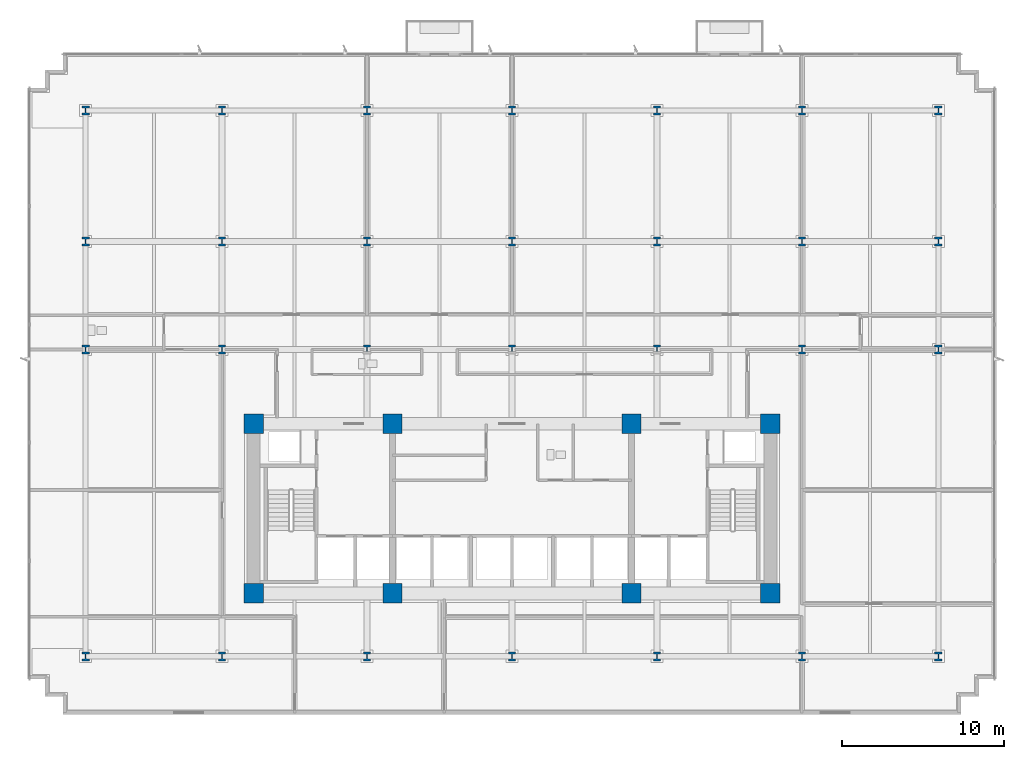
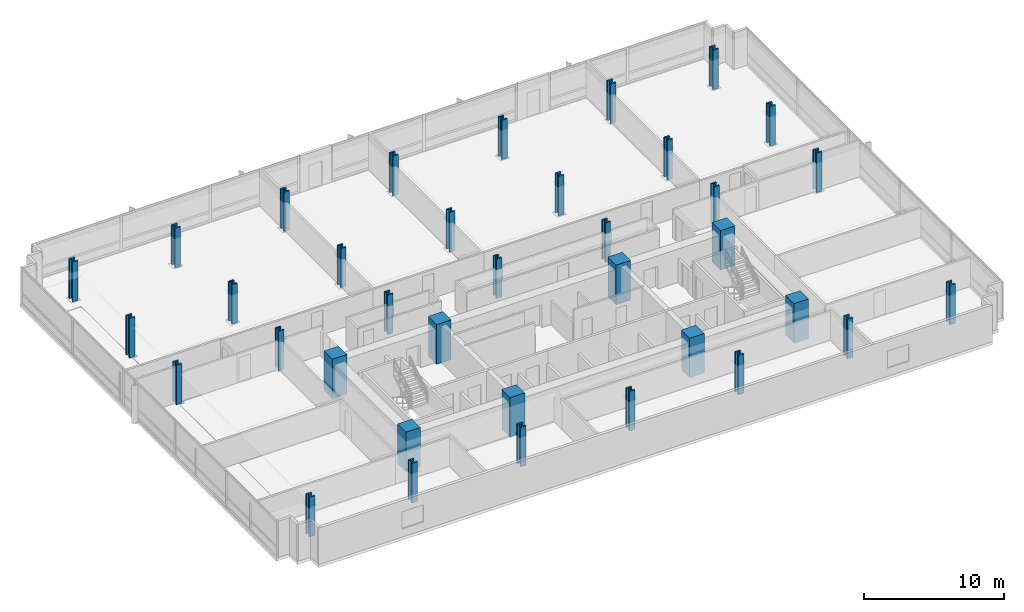
# One storey, part 1 of 14: 36 columns.
"""IFC4 building model written with IfcOpenShell, lengths in metres."""

import ifcopenshell
import ifcopenshell.guid

model = None  # the IFC model being written
_history = None  # IfcOwnerHistory: only IFC2X3 demands one
_inside = {}  # id of a spatial element -> (the spatial element, [elements in it])
_under = {}  # id of a project, library or spatial element -> (it, [spatial elements below it])
_declared = {}  # id of a project -> (the project, [libraries it declares])
_typed = {}  # id of a type object -> (the type object, [elements of that type])
_made_of = {}  # id of a material, layer set ... -> (it, [elements and type objects made of it])


def new_model(schema):
    """Start an empty IFC model of exactly this schema.

    Asked for "IFC4X3", IfcOpenShell would pick the latest addendum, in which some entities
    have other attributes; the version numbers below select the first issue.
    IFC2X3 requires an IfcOwnerHistory on every rooted entity: one is made here for all.
    """
    global model, _history
    if schema == "IFC4X3":
        model = ifcopenshell.file(schema_version=(4, 3, 0, 0))
    else:
        model = ifcopenshell.file(schema=schema)
    _inside.clear()
    _under.clear()
    _declared.clear()
    _typed.clear()
    _made_of.clear()
    _history = None
    if model.schema == "IFC2X3":
        org = make("IfcOrganization", Name="unknown")
        user = make(
            "IfcPersonAndOrganization",
            ThePerson=make("IfcPerson", FamilyName="unknown"),
            TheOrganization=org,
        )
        app = make(
            "IfcApplication",
            ApplicationDeveloper=org,
            Version="unknown",
            ApplicationFullName="unknown",
            ApplicationIdentifier="unknown",
        )
        _history = make(
            "IfcOwnerHistory",
            OwningUser=user,
            OwningApplication=app,
            ChangeAction="ADDED",
            CreationDate=0,
        )
    return model


def make(cls, **values):
    """One entity of the class cls with the attributes given. An attribute that is None is left unset."""
    return model.create_entity(
        cls, **{name: value for name, value in values.items() if value is not None}
    )


def rooted(cls, **values):
    """An entity with a GlobalId (a new one), such as an element, a storey or a relation."""
    return make(cls, GlobalId=ifcopenshell.guid.new(), OwnerHistory=_history, **values)


def si_unit(unit_type, name, prefix=None):
    """IfcSIUnit, for example si_unit("LENGTHUNIT", "METRE", prefix="MILLI")."""
    return make("IfcSIUnit", UnitType=unit_type, Prefix=prefix, Name=name)


def assignment(units):
    """IfcUnitAssignment: the units of a project."""
    return None if units is None else make("IfcUnitAssignment", Units=units)


def point(xyz):
    """IfcCartesianPoint."""
    return None if xyz is None else make("IfcCartesianPoint", Coordinates=xyz)


def direction(xyz):
    """IfcDirection."""
    return None if xyz is None else make("IfcDirection", DirectionRatios=xyz)


def frame(location, z_axis=None, x_axis=None):
    """IfcAxis2Placement3D, a coordinate frame: its origin and axes. An axis left out is left unset."""
    return make(
        "IfcAxis2Placement3D",
        Location=point(location),
        Axis=direction(z_axis),
        RefDirection=direction(x_axis),
    )


def frame_2d(location, x_axis=None):
    """IfcAxis2Placement2D, a coordinate frame in the plane: its origin and x axis."""
    return make(
        "IfcAxis2Placement2D", Location=point(location), RefDirection=direction(x_axis)
    )


def origin():
    """The frame at (0, 0, 0) with its axes left unset."""
    return frame((0.0, 0.0, 0.0))


def origin_2d():
    """The frame at (0, 0) in the plane with its x axis left unset."""
    return frame_2d((0.0, 0.0))


def place(relative_to, where):
    """IfcLocalPlacement: puts the frame where relative to a parent placement (None: the world)."""
    return make(
        "IfcLocalPlacement", PlacementRelTo=relative_to, RelativePlacement=where
    )


def context(
    kind, dimensions, precision=None, world=None, true_north=None, identifier=None
):
    """IfcGeometricRepresentationContext, for example the 3D "Model" context."""
    return make(
        "IfcGeometricRepresentationContext",
        ContextIdentifier=identifier,
        ContextType=kind,
        CoordinateSpaceDimension=dimensions,
        Precision=precision,
        WorldCoordinateSystem=world,
        TrueNorth=true_north,
    )


def subcontext(parent, identifier, kind, view, scale=None):
    """IfcGeometricRepresentationSubContext, for example "Body" below "Model"."""
    return make(
        "IfcGeometricRepresentationSubContext",
        ContextIdentifier=identifier,
        ContextType=kind,
        ParentContext=parent,
        TargetScale=scale,
        TargetView=view,
    )


def project(units=None, contexts=None):
    """IfcProject with its units and contexts."""
    return rooted(
        "IfcProject",
        Name="project",
        RepresentationContexts=contexts,
        UnitsInContext=assignment(units),
    )


def spatial(cls, under=None, at=None, **own):
    """A site, building, storey or space (cls), placed at a placement, below another one or the project."""
    s = rooted(cls, ObjectPlacement=at, **own)
    if under is not None:
        _under.setdefault(under.id(), (under, []))[1].append(s)
    return s


def profile(cls, at=None, kind="AREA", **sizes):
    """A parametric profile (cls). Its sizes go by their IFC names, for example OverallWidth=200.0."""
    return make(cls, ProfileType=kind, Position=at, **sizes)


def rectangle(**sizes):
    """IfcRectangleProfileDef."""
    return profile("IfcRectangleProfileDef", **sizes)


def i_section(**sizes):
    """IfcIShapeProfileDef."""
    return profile("IfcIShapeProfileDef", **sizes)


def extrude(swept, where, along, depth):
    """IfcExtrudedAreaSolid: the profile swept, set in the frame where, extruded along a direction by depth."""
    return make(
        "IfcExtrudedAreaSolid",
        SweptArea=swept,
        Position=where,
        ExtrudedDirection=direction(along),
        Depth=depth,
    )


def shape(context_of_items, identifier, shape_type, items):
    """IfcShapeRepresentation: the items that make up one representation, for example the "Body"."""
    return make(
        "IfcShapeRepresentation",
        ContextOfItems=context_of_items,
        RepresentationIdentifier=identifier,
        RepresentationType=shape_type,
        Items=items,
    )


def material(Name=None, Category=None):
    """IfcMaterial."""
    return make("IfcMaterial", Name=Name, Category=Category)


def material_profile(
    of_material, cross_section, Name=None, Category=None, Priority=None
):
    """IfcMaterialProfile: a cross section and its material."""
    return make(
        "IfcMaterialProfile",
        Name=Name,
        Material=of_material,
        Profile=cross_section,
        Priority=Priority,
        Category=Category,
    )


def profile_set(profiles, Name=None, composite=None):
    """IfcMaterialProfileSet."""
    return make(
        "IfcMaterialProfileSet",
        Name=Name,
        MaterialProfiles=profiles,
        CompositeProfile=composite,
    )


def made_of(thing, what):
    """Note that an element or type object is made of a material, layer set ...; save() writes the relation."""
    if what is not None:
        _made_of.setdefault(what.id(), (what, []))[1].append(thing)
    return thing


def type_object(cls, material=None, **own):
    """A type object (cls), such as IfcWallType, which elements share."""
    return made_of(rooted(cls, **own), material)


def element(
    cls,
    number,
    at=None,
    inside=None,
    cuts=None,
    type_object=None,
    material=None,
    context=None,
    identifier="Body",
    shape_type=None,
    held_by="IfcProductDefinitionShape",
    body=None,
    shapes=None,
    **own,
):
    """One element of the class cls, such as IfcWall. Its Tag is "e" and its number.

    at: its placement. inside: the storey or other place that contains it. cuts: it is an
    opening in that element (IfcRelVoidsElement). A single representation is given by context,
    identifier, shape_type and body (its items); several are given by shapes. held_by: the class
    of the entity that holds the representations. save() writes the other relations.
    """
    e = rooted(cls, Tag="e%d" % number, ObjectPlacement=at, **own)
    if body is not None:
        shapes = [shape(context, identifier, shape_type, body)]
    if shapes is not None:
        e.Representation = make(held_by, Representations=shapes)
    if inside is not None:
        _inside.setdefault(inside.id(), (inside, []))[1].append(e)
    if cuts is not None:
        rooted(
            "IfcRelVoidsElement", RelatingBuildingElement=cuts, RelatedOpeningElement=e
        )
    if type_object is not None:
        _typed.setdefault(type_object.id(), (type_object, []))[1].append(e)
    return made_of(e, material)


def aggregate(whole, parts):
    """IfcRelAggregates: a whole, such as a stair, and the parts it consists of."""
    return rooted("IfcRelAggregates", RelatingObject=whole, RelatedObjects=parts)


def save(model, path):
    """Write the relations noted so far, then the file.

    IfcRelAggregates (storeys below a building ...), IfcRelContainedInSpatialStructure (elements
    in a storey), IfcRelDefinesByType, IfcRelAssociatesMaterial and IfcRelDeclares: one each for
    every whole, place, type object, material and project.
    """
    for whole, parts in _under.values():
        aggregate(whole, parts)
    for where, things in _inside.values():
        rooted(
            "IfcRelContainedInSpatialStructure",
            RelatedElements=things,
            RelatingStructure=where,
        )
    for kind, things in _typed.values():
        rooted("IfcRelDefinesByType", RelatedObjects=things, RelatingType=kind)
    for what, things in _made_of.values():
        rooted("IfcRelAssociatesMaterial", RelatedObjects=things, RelatingMaterial=what)
    for by, libraries in _declared.values():
        rooted("IfcRelDeclares", RelatingContext=by, RelatedDefinitions=libraries)
    model.write(path)


model = new_model("IFC4")

# Units and contexts
model_context = context("Model", 3, precision=1e-05, world=origin(), true_north=direction((0.0, 1.0)))
body_context = subcontext(model_context, "Body", "Model", "MODEL_VIEW")
ifc_project = project(units=[si_unit("LENGTHUNIT", "METRE"), si_unit("AREAUNIT", "SQUARE_METRE"), si_unit("VOLUMEUNIT", "CUBIC_METRE"), si_unit("PLANEANGLEUNIT", "RADIAN"), si_unit("MASSUNIT", "GRAM", prefix="KILO")], contexts=[model_context])

# Site, building, storey
site_placement = place(None, origin())
site = spatial("IfcSite", under=ifc_project, at=site_placement, CompositionType="ELEMENT")
building_placement = place(site_placement, origin())
building = spatial("IfcBuilding", under=site, at=building_placement, Name="Solmavex Isthmus Hotel", CompositionType="ELEMENT")
storey_placement = place(building_placement, frame((0.0, 0.0, 50.550048828125)))
storey = spatial("IfcBuildingStorey", under=building, at=storey_placement, Name="L13", CompositionType="ELEMENT", Elevation=50.550048828125)

# Columns
ifc_material_1 = material(Name="Concrete C70/85", Category="concrete")
ifc_material_profile_1 = material_profile(ifc_material_1, rectangle(XDim=1.199951171875, YDim=1.199951171875, at=origin_2d()), Name="RC1200X1200")
ifc_profile_set_1 = profile_set([ifc_material_profile_1], Name="Concrete C70/85")
column_type_1 = type_object("IfcColumnType", Name="COL-CC-1200", PredefinedType="COLUMN", material=ifc_profile_set_1)
for number, where, z_axis, x_axis, name in (
    (1, (-16.0, -13.0, 0.0), (0.0, 0.0, 1.0), (1.0, 0.0, 0.0), "Core Pilaster CC-SW L13"),
    (2, (-7.39990234375, -13.0, 0.0), (0.0, 0.0, 1.0), (1.0, 0.0, 0.0), "Core Pilaster CC-S1 L13"),
    (3, (7.39990234375, -13.0, 0.0), (0.0, 0.0, 1.0), (1.0, 0.0, 0.0), "Core Pilaster CC-S2 L13"),
    (4, (16.0, -13.0, 0.0), (0.0, 0.0, 1.0), (1.0, 0.0, 0.0), "Core Pilaster CC-SE L13"),
    (5, (-16.0, -2.5, 0.0), (0.0, 0.0, 1.0), (1.0, 0.0, 0.0), "Core Pilaster CC-NW L13"),
    (6, (-7.39990234375, -2.5, 0.0), (0.0, 0.0, 1.0), (1.0, 0.0, 0.0), "Core Pilaster CC-N1 L13"),
    (7, (7.39990234375, -2.5, 0.0), (0.0, 0.0, 1.0), (1.0, 0.0, 0.0), "Core Pilaster CC-N2 L13"),
    (8, (16.0, -2.5, 0.0), (0.0, 0.0, 1.0), (1.0, 0.0, 0.0), "Core Pilaster CC-NE L13"),
):
    element("IfcColumn", number, at=place(storey_placement, frame(where, z_axis=z_axis, x_axis=x_axis)), inside=storey, type_object=column_type_1, Name=name, PredefinedType="COLUMN", context=body_context, shape_type="SweptSolid", body=[
        extrude(rectangle(XDim=1.199951171875, YDim=1.199951171875, at=origin_2d()), origin(), (0.0, 0.0, 1.0), 3.449951171875),
    ])
ifc_material_2 = material(Name="Steel ASTM A913 Grade 65", Category="steel")
ifc_material_profile_2 = material_profile(ifc_material_2, i_section(OverallWidth=0.442138671875, OverallDepth=0.531494140625, WebThickness=0.06591796875, FlangeThickness=0.105712890625, FilletRadius=0.030517578125, at=origin_2d()), Name="W14X605")
ifc_profile_set_2 = profile_set([ifc_material_profile_2], Name="Steel ASTM A913 Grade 65")
column_type_2 = type_object("IfcColumnType", Name="COL-SC-W14X605", PredefinedType="COLUMN", material=ifc_profile_set_2)
for number, where, z_axis, x_axis, name in (
    (9, (-17.951904296875, 2.10009765625, 0.0), (0.0, 0.0, 1.0), (1.0, 0.0, 0.0), "Tower Column B1-U2V2 L13"),
    (10, (-17.951904296875, 8.7880859375, 0.0), (0.0, 0.0, 1.0), (1.0, 0.0, 0.0), "Tower Column B1-U2V3 L13"),
    (11, (-8.97607421875, 2.10009765625, 0.0), (0.0, 0.0, 1.0), (1.0, 0.0, 0.0), "Tower Column B1-U3V2 L13"),
    (12, (-8.97607421875, 8.7880859375, 0.0), (0.0, 0.0, 1.0), (1.0, 0.0, 0.0), "Tower Column B1-U3V3 L13"),
    (13, (0.0, 2.10009765625, 0.0), (0.0, 0.0, 1.0), (1.0, 0.0, 0.0), "Tower Column B1-U4V2 L13"),
    (14, (0.0, 8.7880859375, 0.0), (0.0, 0.0, 1.0), (1.0, 0.0, 0.0), "Tower Column B1-U4V3 L13"),
    (15, (8.97607421875, 2.10009765625, 0.0), (0.0, 0.0, 1.0), (1.0, 0.0, 0.0), "Tower Column B1-U5V2 L13"),
    (16, (8.97607421875, 8.7880859375, 0.0), (0.0, 0.0, 1.0), (1.0, 0.0, 0.0), "Tower Column B1-U5V3 L13"),
    (17, (17.951904296875, 2.10009765625, 0.0), (0.0, 0.0, 1.0), (1.0, 0.0, 0.0), "Tower Column B1-U6V2 L13"),
    (18, (17.951904296875, 8.7880859375, 0.0), (0.0, 0.0, 1.0), (1.0, 0.0, 0.0), "Tower Column B1-U6V3 L13"),
):
    element("IfcColumn", number, at=place(storey_placement, frame(where, z_axis=z_axis, x_axis=x_axis)), inside=storey, type_object=column_type_2, Name=name, PredefinedType="COLUMN", context=body_context, shape_type="SweptSolid", body=[
        extrude(i_section(OverallWidth=0.442138671875, OverallDepth=0.531494140625, WebThickness=0.06591796875, FlangeThickness=0.105712890625, FilletRadius=0.030517578125, at=origin_2d()), origin(), (0.0, 0.0, 1.0), 3.449951171875),
    ])
ifc_material_profile_3 = material_profile(ifc_material_2, i_section(OverallWidth=0.454345703125, OverallDepth=0.569091796875, WebThickness=0.077880859375, FlangeThickness=0.124755859375, FilletRadius=0.030517578125, at=origin_2d()), Name="W14X730")
ifc_profile_set_3 = profile_set([ifc_material_profile_3], Name="Steel ASTM A913 Grade 65")
column_type_3 = type_object("IfcColumnType", Name="COL-SC-W14X730", PredefinedType="COLUMN", material=ifc_profile_set_3)
for number, where, z_axis, x_axis, name in (
    (19, (-26.39990234375, -16.89990234375, 0.0), (0.0, 0.0, 1.0), (1.0, 0.0, 0.0), "Tower Column B1-U1V1 L13"),
    (20, (-26.39990234375, 2.10009765625, 0.0), (0.0, 0.0, 1.0), (1.0, 0.0, 0.0), "Tower Column B1-U1V2 L13"),
    (21, (-26.39990234375, 8.7880859375, 0.0), (0.0, 0.0, 1.0), (1.0, 0.0, 0.0), "Tower Column B1-U1V3 L13"),
    (22, (-26.39990234375, 16.89990234375, 0.0), (0.0, 0.0, 1.0), (1.0, 0.0, 0.0), "Tower Column B1-U1V4 L13"),
    (23, (-17.951904296875, -16.89990234375, 0.0), (0.0, 0.0, 1.0), (1.0, 0.0, 0.0), "Tower Column B1-U2V1 L13"),
    (24, (-17.951904296875, 16.89990234375, 0.0), (0.0, 0.0, 1.0), (1.0, 0.0, 0.0), "Tower Column B1-U2V4 L13"),
    (25, (-8.97607421875, -16.89990234375, 0.0), (0.0, 0.0, 1.0), (1.0, 0.0, 0.0), "Tower Column B1-U3V1 L13"),
    (26, (-8.97607421875, 16.89990234375, 0.0), (0.0, 0.0, 1.0), (1.0, 0.0, 0.0), "Tower Column B1-U3V4 L13"),
    (27, (0.0, -16.89990234375, 0.0), (0.0, 0.0, 1.0), (1.0, 0.0, 0.0), "Tower Column B1-U4V1 L13"),
    (28, (0.0, 16.89990234375, 0.0), (0.0, 0.0, 1.0), (1.0, 0.0, 0.0), "Tower Column B1-U4V4 L13"),
    (29, (8.97607421875, -16.89990234375, 0.0), (0.0, 0.0, 1.0), (1.0, 0.0, 0.0), "Tower Column B1-U5V1 L13"),
    (30, (8.97607421875, 16.89990234375, 0.0), (0.0, 0.0, 1.0), (1.0, 0.0, 0.0), "Tower Column B1-U5V4 L13"),
    (31, (17.951904296875, -16.89990234375, 0.0), (0.0, 0.0, 1.0), (1.0, 0.0, 0.0), "Tower Column B1-U6V1 L13"),
    (32, (17.951904296875, 16.89990234375, 0.0), (0.0, 0.0, 1.0), (1.0, 0.0, 0.0), "Tower Column B1-U6V4 L13"),
    (33, (26.39990234375, -16.89990234375, 0.0), (0.0, 0.0, 1.0), (1.0, 0.0, 0.0), "Tower Column B1-U7V1 L13"),
    (34, (26.39990234375, 2.10009765625, 0.0), (0.0, 0.0, 1.0), (1.0, 0.0, 0.0), "Tower Column B1-U7V2 L13"),
    (35, (26.39990234375, 8.7880859375, 0.0), (0.0, 0.0, 1.0), (1.0, 0.0, 0.0), "Tower Column B1-U7V3 L13"),
    (36, (26.39990234375, 16.89990234375, 0.0), (0.0, 0.0, 1.0), (1.0, 0.0, 0.0), "Tower Column B1-U7V4 L13"),
):
    element("IfcColumn", number, at=place(storey_placement, frame(where, z_axis=z_axis, x_axis=x_axis)), inside=storey, type_object=column_type_3, Name=name, PredefinedType="COLUMN", context=body_context, shape_type="SweptSolid", body=[
        extrude(i_section(OverallWidth=0.454345703125, OverallDepth=0.569091796875, WebThickness=0.077880859375, FlangeThickness=0.124755859375, FilletRadius=0.030517578125, at=origin_2d()), origin(), (0.0, 0.0, 1.0), 3.449951171875),
    ])

save(model, "model.ifc")
